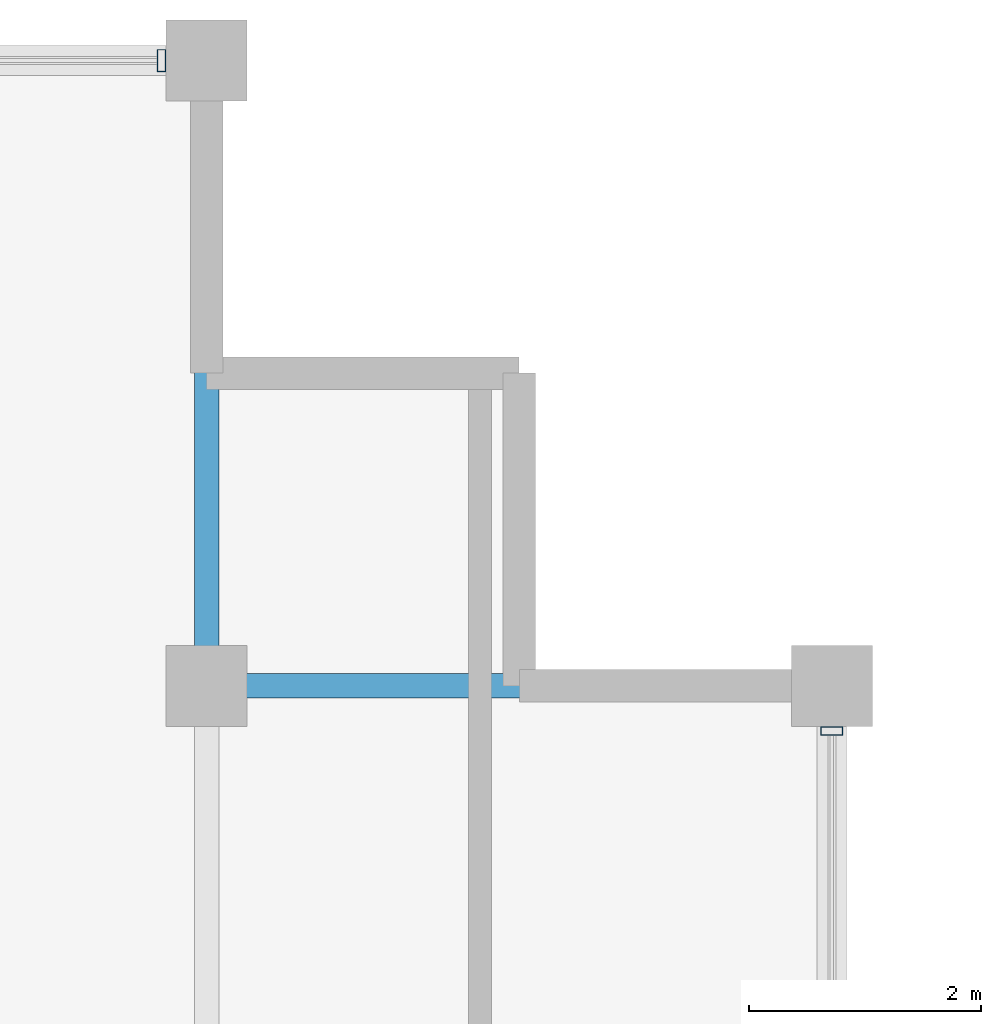
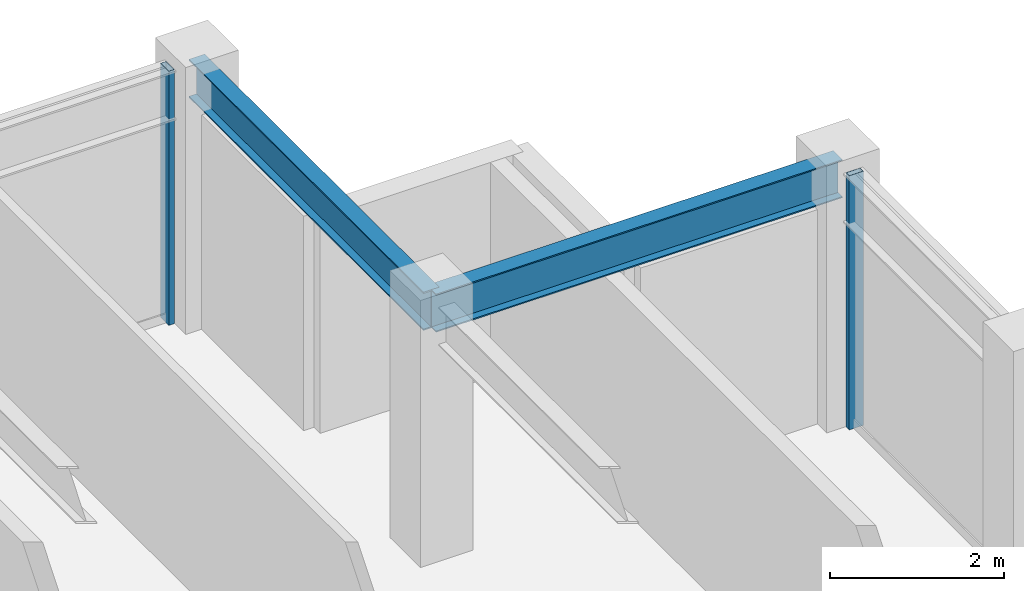
# One storey, part 21 of 31: 2 beams, 2 members, 2 elements without a shape of their own.
"""IFC4 building model written with IfcOpenShell, lengths in metres."""

from ifc_helpers import new_model, si_unit, direction, frame, origin, origin_2d, place, context, subcontext, project, spatial, hollow_rectangle, i_section, extrude, material, layer, layer_set, material_profile, profile_set, type_object, element, aggregate, save


model = new_model("IFC4")

# Units and contexts
model_context = context("Model", 3, precision=1e-05, world=origin(), true_north=direction((0.0, 1.0)))
body_context = subcontext(model_context, "Body", "Model", "MODEL_VIEW")
ifc_project = project(units=[si_unit("LENGTHUNIT", "METRE"), si_unit("AREAUNIT", "SQUARE_METRE"), si_unit("VOLUMEUNIT", "CUBIC_METRE"), si_unit("PLANEANGLEUNIT", "RADIAN"), si_unit("MASSUNIT", "GRAM", prefix="KILO")], contexts=[model_context])

# Site, building, storey
site_placement = place(None, origin())
site = spatial("IfcSite", under=ifc_project, at=site_placement, CompositionType="ELEMENT")
building_placement = place(site_placement, origin())
building = spatial("IfcBuilding", under=site, at=building_placement, Name="Surkhivell Harbour Commons", CompositionType="ELEMENT")
storey_placement = place(building_placement, frame((0.0, 0.0, 318.75)))
storey = spatial("IfcBuildingStorey", under=building, at=storey_placement, Name="L83", CompositionType="ELEMENT", Elevation=318.75)

# Beams
ifc_material_1 = material(Name="Steel S355", Category="steel")
ifc_material_profile_1 = material_profile(ifc_material_1, i_section(OverallWidth=0.2099609375, OverallDepth=0.537109375, WebThickness=0.0107421875, FlangeThickness=0.017333984375, at=origin_2d()), Name="UB533x210x101")
ifc_profile_set_1 = profile_set([ifc_material_profile_1], Name="Steel S355")
beam_type = type_object("IfcBeamType", Name="BM-GRD-533B", PredefinedType="BEAM", material=ifc_profile_set_1)
for number, where, z_axis, x_axis, name in (
    (1, (10.800048828125, 20.5, 3.301513671875), (0.0, 1.0, 0.0), (-1.0, 0.0, 0.0), "L83 Floor Girder (10.8,20.5)"),
    (2, (10.800048828125, 20.5, 3.301513671875), (1.0, 0.0, 0.0), (0.0, 1.0, 0.0), "L83 Floor Girder (10.8,20.5)"),
):
    element("IfcBeam", number, at=place(storey_placement, frame(where, z_axis=z_axis, x_axis=x_axis)), inside=storey, type_object=beam_type, Name=name, PredefinedType="BEAM", context=body_context, shape_type="SweptSolid", body=[
        extrude(i_section(OverallWidth=0.2099609375, OverallDepth=0.537109375, WebThickness=0.0107421875, FlangeThickness=0.017333984375, at=origin_2d()), origin(), (0.0, 0.0, 1.0), 5.39990234375),
    ])

# Curtain wall, member
ifc_material_2 = material(Name="Anodised pale-metal aluminium and insulated glazing", Category="aluminium")
ifc_layer = layer(ifc_material_2, 0.175048828125)
ifc_layer_set = layer_set([ifc_layer], Name="Anodised pale-metal aluminium and insulated glazing")
curtain_wall_type = type_object("IfcCurtainWallType", Name="CW-SYS-Z4", PredefinedType="NOTDEFINED", material=ifc_layer_set)
curtain_wall_1_placement = place(storey_placement, origin())
curtain_wall_1 = element("IfcCurtainWall", 3, at=curtain_wall_1_placement, inside=storey, type_object=curtain_wall_type, Name="L83 Curtain Wall CW-L83-E02R1", PredefinedType="NOTDEFINED")
ifc_material_3 = material(Name="Anodised pale-metal aluminium alloy 6063-T6", Category="aluminium")
ifc_material_profile_2 = material_profile(ifc_material_3, hollow_rectangle(XDim=0.074951171875, YDim=0.18994140625, WallThickness=0.00390625, at=origin_2d()), Name="ALU-MULL-75x190")
ifc_profile_set_2 = profile_set([ifc_material_profile_2], Name="Anodised pale-metal aluminium alloy 6063-T6")
member_type = type_object("IfcMemberType", Name="CWM-190", PredefinedType="MULLION", material=ifc_profile_set_2)
member_1_placement = place(storey_placement, frame((16.199951171875, 20.110595703125, 0.0), z_axis=(0.0, 0.0, 1.0), x_axis=(0.0, 1.0, 0.0)))
member_1 = element("IfcMember", 4, at=member_1_placement, type_object=member_type, Name="CW-Z4 mullion 5", PredefinedType="MULLION", context=body_context, shape_type="SweptSolid", body=[
    extrude(hollow_rectangle(XDim=0.074951171875, YDim=0.18994140625, WallThickness=0.00390625, at=origin_2d()), origin(), (0.0, 0.0, 1.0), 3.570068359375),
])
aggregate(curtain_wall_1, [member_1])

curtain_wall_2_placement = place(storey_placement, origin())
curtain_wall_2 = element("IfcCurtainWall", 5, at=curtain_wall_2_placement, inside=storey, type_object=curtain_wall_type, Name="L83 Curtain Wall CW-L83-E07S1", PredefinedType="NOTDEFINED")
member_2_placement = place(storey_placement, frame((10.410400390625, 25.89990234375, 0.0), z_axis=(0.0, 0.0, 1.0), x_axis=(-1.0, 0.0, 0.0)))
member_2 = element("IfcMember", 6, at=member_2_placement, type_object=member_type, Name="CW-Z4 mullion 1", PredefinedType="MULLION", context=body_context, shape_type="SweptSolid", body=[
    extrude(hollow_rectangle(XDim=0.074951171875, YDim=0.18994140625, WallThickness=0.00390625, at=origin_2d()), origin(), (0.0, 0.0, 1.0), 3.570068359375),
])
aggregate(curtain_wall_2, [member_2])

save(model, "model.ifc")
